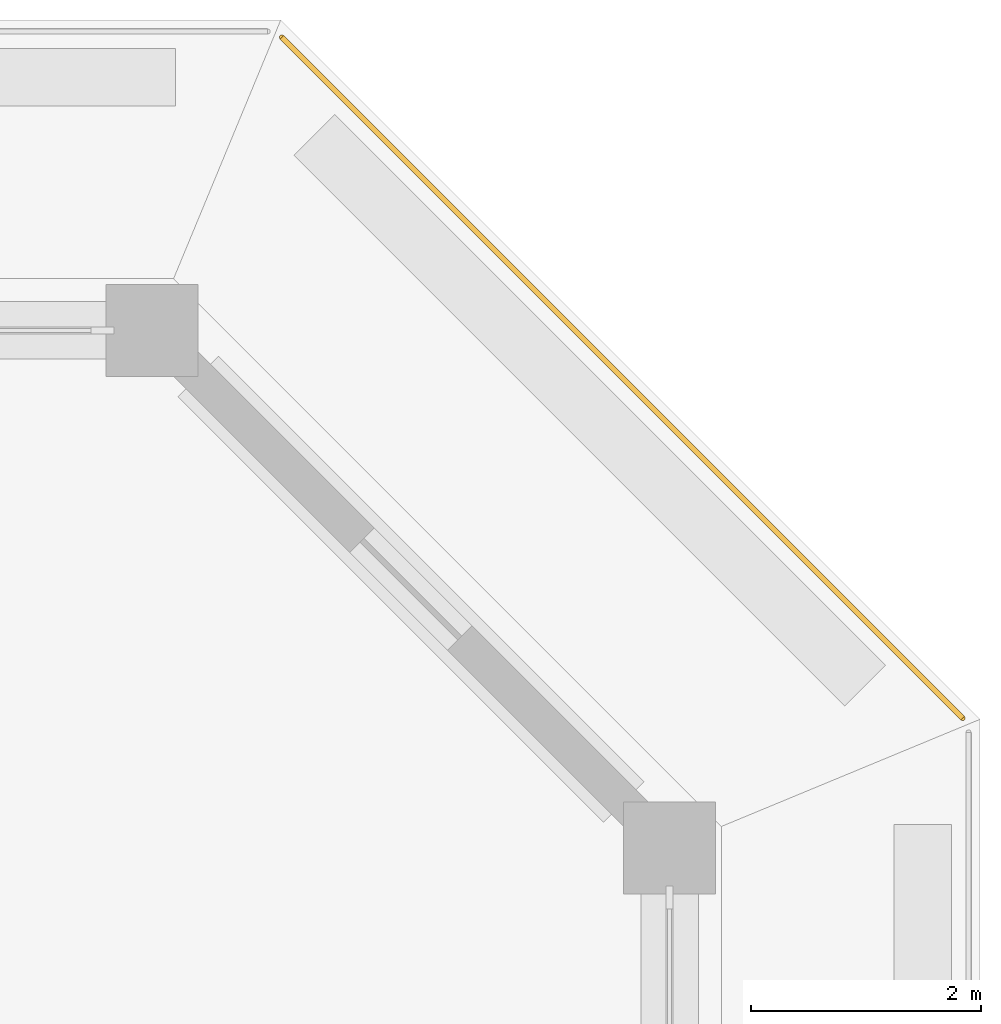
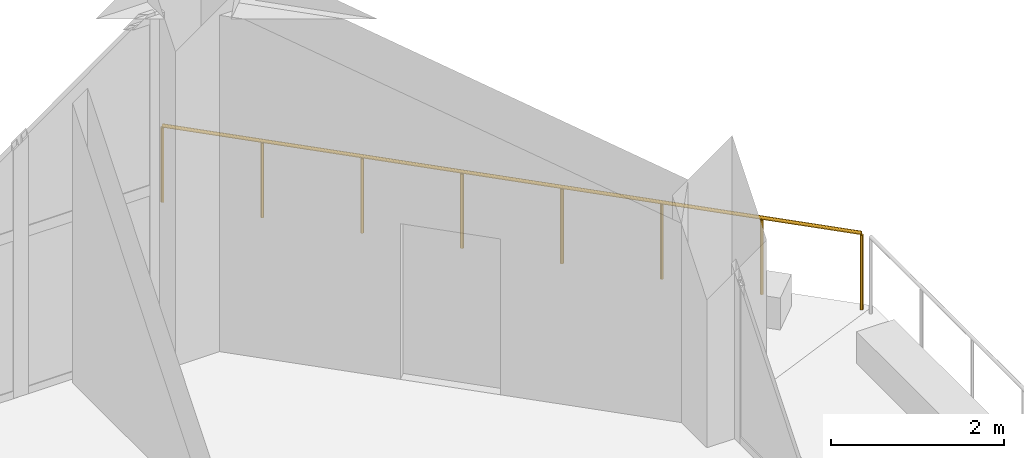
# One storey, part 24 of 25: 1 railing.
"""IFC4 building model written with IfcOpenShell, lengths in metres."""

from ifc_helpers import new_model, si_unit, direction, frame, origin, origin_2d, place, context, subcontext, project, spatial, circle, extrude, material, type_object, element, save


model = new_model("IFC4")

# Units and contexts
model_context = context("Model", 3, precision=1e-05, world=origin(), true_north=direction((0.0, 1.0)))
body_context = subcontext(model_context, "Body", "Model", "MODEL_VIEW")
ifc_project = project(units=[si_unit("LENGTHUNIT", "METRE"), si_unit("AREAUNIT", "SQUARE_METRE"), si_unit("VOLUMEUNIT", "CUBIC_METRE"), si_unit("PLANEANGLEUNIT", "RADIAN"), si_unit("MASSUNIT", "GRAM", prefix="KILO")], contexts=[model_context])

# Site, building, storey
site_placement = place(None, origin())
site = spatial("IfcSite", under=ifc_project, at=site_placement, CompositionType="ELEMENT")
building_placement = place(site_placement, origin())
building = spatial("IfcBuilding", under=site, at=building_placement, Name="Corbel Stack Research Tower", CompositionType="ELEMENT")
storey_placement = place(building_placement, frame((0.0, 0.0, 260.300048828125)))
storey = spatial("IfcBuildingStorey", under=building, at=storey_placement, Name="L59", CompositionType="ELEMENT", Elevation=260.300048828125)

# Railing
ifc_material = material(Name="Powder-coated steel guard", Category="steel")
railing_type = type_object("IfcRailingType", Name="Steel and glass guard 1100", PredefinedType="GUARDRAIL", material=ifc_material)
railing_placement = place(storey_placement, frame((29.54931640625, 28.127685546875, 0.0)))
element("IfcRailing", 1, at=railing_placement, inside=storey, type_object=railing_type, Name="Loggia guard L59 NE", PredefinedType="GUARDRAIL", context=body_context, shape_type="SweptSolid", body=[
    extrude(circle(Radius=0.02392578125, at=origin_2d()), frame((0.0, 0.0, 1.076171875), z_axis=(-0.707106781187, 0.707106781187, 0.0), x_axis=(-0.707106781187, -0.707106781187, 0.0)), (0.0, 0.0, 1.0), 8.37451171875),
    extrude(circle(Radius=0.02099609375, at=origin_2d()), origin(), (0.0, 0.0, 1.0), 1.052001953125),
    extrude(circle(Radius=0.02099609375, at=origin_2d()), frame((-0.845947265625, 0.845947265625, 0.0)), (0.0, 0.0, 1.0), 1.052001953125),
    extrude(circle(Radius=0.02099609375, at=origin_2d()), frame((-1.69189453125, 1.69189453125, 0.0)), (0.0, 0.0, 1.0), 1.052001953125),
    extrude(circle(Radius=0.02099609375, at=origin_2d()), frame((-2.537841796875, 2.537841796875, 0.0)), (0.0, 0.0, 1.0), 1.052001953125),
    extrude(circle(Radius=0.02099609375, at=origin_2d()), frame((-3.3837890625, 3.3837890625, 0.0)), (0.0, 0.0, 1.0), 1.052001953125),
    extrude(circle(Radius=0.02099609375, at=origin_2d()), frame((-4.229736328125, 4.229736328125, 0.0)), (0.0, 0.0, 1.0), 1.052001953125),
    extrude(circle(Radius=0.02099609375, at=origin_2d()), frame((-5.07568359375, 5.07568359375, 0.0)), (0.0, 0.0, 1.0), 1.052001953125),
    extrude(circle(Radius=0.02099609375, at=origin_2d()), frame((-5.921630859375, 5.921630859375, 0.0)), (0.0, 0.0, 1.0), 1.052001953125),
])

save(model, "model.ifc")
